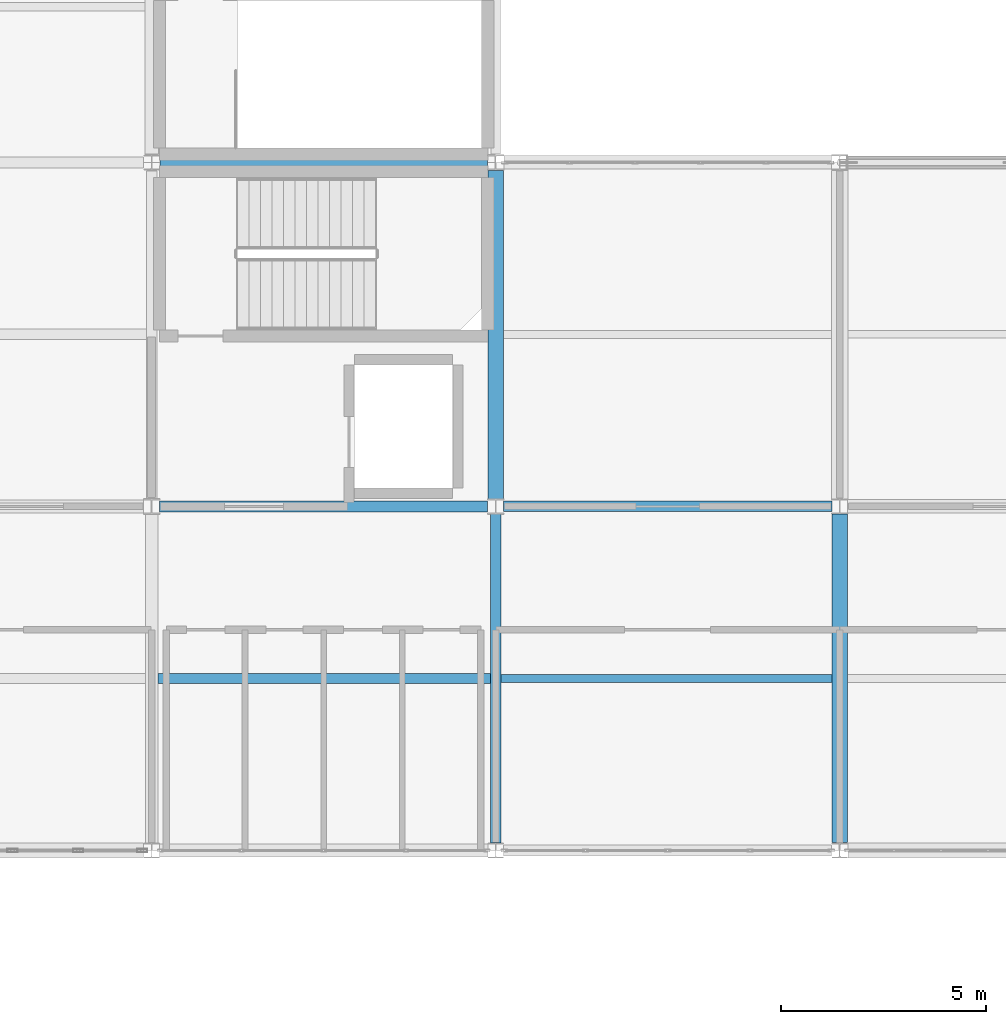
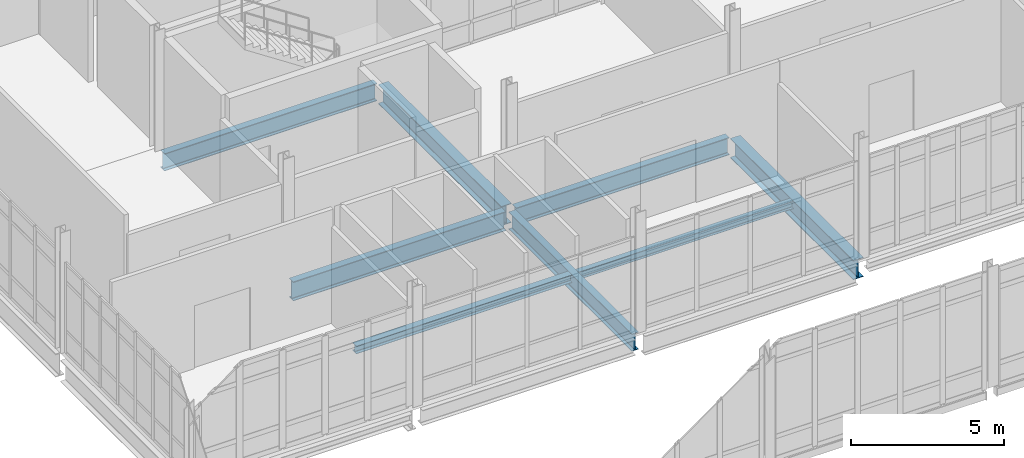
# One storey, part 39 of 186: 8 beams.
"""IFC4 building model written with IfcOpenShell, lengths in metres."""

from ifc_helpers import new_model, si_unit, direction, frame, origin, origin_2d, place, context, subcontext, project, spatial, i_section, extrude, material, material_profile, profile_set, type_object, element, save


model = new_model("IFC4")

# Units and contexts
model_context = context("Model", 3, precision=1e-05, world=origin(), true_north=direction((0.0, 1.0)))
body_context = subcontext(model_context, "Body", "Model", "MODEL_VIEW")
ifc_project = project(units=[si_unit("LENGTHUNIT", "METRE"), si_unit("AREAUNIT", "SQUARE_METRE"), si_unit("VOLUMEUNIT", "CUBIC_METRE"), si_unit("PLANEANGLEUNIT", "RADIAN"), si_unit("MASSUNIT", "GRAM", prefix="KILO")], contexts=[model_context])

# Site, building, storey
site_placement = place(None, origin())
site = spatial("IfcSite", under=ifc_project, at=site_placement, CompositionType="ELEMENT")
building_placement = place(site_placement, origin())
building = spatial("IfcBuilding", under=site, at=building_placement, Name="Calvrana Isthmian Art Gallery", CompositionType="ELEMENT")
storey_placement = place(building_placement, frame((0.0, 0.0, 5.39990234375)))
storey = spatial("IfcBuildingStorey", under=building, at=storey_placement, Name="L01", CompositionType="ELEMENT", Elevation=5.39990234375)

# Beams
ifc_material = material(Name="Steel ASTM A992 Gr 50", Category="steel")
ifc_material_profile_1 = material_profile(ifc_material, i_section(OverallWidth=0.257080078125, OverallDepth=0.693115234375, WebThickness=0.014404296875, FlangeThickness=0.023681640625, FilletRadius=0.02392578125, at=origin_2d()), Name="W27X114")
ifc_profile_set_1 = profile_set([ifc_material_profile_1], Name="Steel ASTM A992 Gr 50")
beam_type_1 = type_object("IfcBeamType", Name="BM-G-W27X114", PredefinedType="BEAM", material=ifc_profile_set_1)
beam_1_placement = place(storey_placement, frame((38.596923828125, 38.39990234375, -0.59130859375), z_axis=(1.0, 0.0, 0.0), x_axis=(0.0, 1.0, 0.0)))
element("IfcBeam", 1, at=beam_1_placement, inside=storey, type_object=beam_type_1, Name="Girder X L01 06-07/F", PredefinedType="BEAM", context=body_context, shape_type="SweptSolid", body=[
    extrude(i_section(OverallWidth=0.257080078125, OverallDepth=0.693115234375, WebThickness=0.014404296875, FlangeThickness=0.023681640625, FilletRadius=0.02392578125, at=origin_2d()), origin(), (0.0, 0.0, 1.0), 8.0166015625),
])
beam_2_placement = place(storey_placement, frame((30.202880859375, 46.800048828125, -0.59130859375), z_axis=(1.0, 0.0, 0.0), x_axis=(0.0, 1.0, 0.0)))
element("IfcBeam", 2, at=beam_2_placement, inside=storey, type_object=beam_type_1, Name="Girder X L01 05-06/G", PredefinedType="BEAM", context=body_context, shape_type="SweptSolid", body=[
    extrude(i_section(OverallWidth=0.257080078125, OverallDepth=0.693115234375, WebThickness=0.014404296875, FlangeThickness=0.023681640625, FilletRadius=0.02392578125, at=origin_2d()), origin(), (0.0, 0.0, 1.0), 7.99658203125),
])
beam_3_placement = place(storey_placement, frame((38.39990234375, 30.1865234375, -0.59130859375), z_axis=(0.0, 1.0, 0.0), x_axis=(-1.0, 0.0, 0.0)))
element("IfcBeam", 3, at=beam_3_placement, inside=storey, type_object=beam_type_1, Name="Girder Y L01 06/E-F", PredefinedType="BEAM", context=body_context, shape_type="SweptSolid", body=[
    extrude(i_section(OverallWidth=0.257080078125, OverallDepth=0.693115234375, WebThickness=0.014404296875, FlangeThickness=0.023681640625, FilletRadius=0.02392578125, at=origin_2d()), origin(), (0.0, 0.0, 1.0), 8.025390625),
])
ifc_material_profile_2 = material_profile(ifc_material, i_section(OverallWidth=0.26708984375, OverallDepth=0.761962890625, WebThickness=0.014404296875, FlangeThickness=0.021484375, FilletRadius=0.02490234375, at=origin_2d()), Name="W30X116")
ifc_profile_set_2 = profile_set([ifc_material_profile_2], Name="Steel ASTM A992 Gr 50")
beam_type_2 = type_object("IfcBeamType", Name="BM-G-W30X116", PredefinedType="BEAM", material=ifc_profile_set_2)
beam_4_placement = place(storey_placement, frame((30.197998046875, 38.39990234375, -0.6259765625), z_axis=(1.0, 0.0, 0.0), x_axis=(0.0, 1.0, 0.0)))
element("IfcBeam", 4, at=beam_4_placement, inside=storey, type_object=beam_type_2, Name="Girder X L01 05-06/F", PredefinedType="BEAM", context=body_context, shape_type="SweptSolid", body=[
    extrude(i_section(OverallWidth=0.26708984375, OverallDepth=0.761962890625, WebThickness=0.014404296875, FlangeThickness=0.021484375, FilletRadius=0.02490234375, at=origin_2d()), origin(), (0.0, 0.0, 1.0), 8.0048828125),
])
ifc_material_profile_3 = material_profile(ifc_material, i_section(OverallWidth=0.381103515625, OverallDepth=0.77197265625, WebThickness=0.0166015625, FlangeThickness=0.027099609375, FilletRadius=0.02490234375, at=origin_2d()), Name="W30X173")
ifc_profile_set_3 = profile_set([ifc_material_profile_3], Name="Steel ASTM A992 Gr 50")
beam_type_3 = type_object("IfcBeamType", Name="BM-G-W30X173", PredefinedType="BEAM", material=ifc_profile_set_3)
beam_5_placement = place(storey_placement, frame((38.39990234375, 38.587890625, -0.630859375), z_axis=(0.0, 1.0, 0.0), x_axis=(-1.0, 0.0, 0.0)))
element("IfcBeam", 5, at=beam_5_placement, inside=storey, type_object=beam_type_3, Name="Girder Y L01 06/F-G", PredefinedType="BEAM", context=body_context, shape_type="SweptSolid", body=[
    extrude(i_section(OverallWidth=0.381103515625, OverallDepth=0.77197265625, WebThickness=0.0166015625, FlangeThickness=0.027099609375, FilletRadius=0.02490234375, at=origin_2d()), origin(), (0.0, 0.0, 1.0), 8.0126953125),
])
beam_6_placement = place(storey_placement, frame((46.800048828125, 30.193115234375, -0.630859375), z_axis=(0.0, 1.0, 0.0), x_axis=(-1.0, 0.0, 0.0)))
element("IfcBeam", 6, at=beam_6_placement, inside=storey, type_object=beam_type_3, Name="Girder Y L01 07/E-F", PredefinedType="BEAM", context=body_context, shape_type="SweptSolid", body=[
    extrude(i_section(OverallWidth=0.381103515625, OverallDepth=0.77197265625, WebThickness=0.0166015625, FlangeThickness=0.027099609375, FilletRadius=0.02490234375, at=origin_2d()), origin(), (0.0, 0.0, 1.0), 8.020263671875),
])
ifc_material_profile_4 = material_profile(ifc_material, i_section(OverallWidth=0.202880859375, OverallDepth=0.302001953125, WebThickness=0.007568359375, FlangeThickness=0.01318359375, FilletRadius=0.01611328125, at=origin_2d()), Name="W12X40")
ifc_profile_set_4 = profile_set([ifc_material_profile_4], Name="Steel ASTM A992 Gr 50")
beam_type_4 = type_object("IfcBeamType", Name="BM-J-W12X40", PredefinedType="JOIST", material=ifc_profile_set_4)
beam_7_placement = place(storey_placement, frame((38.528564453125, 34.199951171875, -0.39599609375), z_axis=(1.0, 0.0, 0.0), x_axis=(0.0, 1.0, 0.0)))
element("IfcBeam", 7, at=beam_7_placement, inside=storey, type_object=beam_type_4, Name="Composite joist L01 bay 05-04", PredefinedType="JOIST", context=body_context, shape_type="SweptSolid", body=[
    extrude(i_section(OverallWidth=0.202880859375, OverallDepth=0.302001953125, WebThickness=0.007568359375, FlangeThickness=0.01318359375, FilletRadius=0.01611328125, at=origin_2d()), origin(), (0.0, 0.0, 1.0), 8.0810546875),
])
ifc_material_profile_5 = material_profile(ifc_material, i_section(OverallWidth=0.25390625, OverallDepth=0.306884765625, WebThickness=0.0087890625, FlangeThickness=0.0146484375, FilletRadius=0.01611328125, at=origin_2d()), Name="W12X53")
ifc_profile_set_5 = profile_set([ifc_material_profile_5], Name="Steel ASTM A992 Gr 50")
beam_type_5 = type_object("IfcBeamType", Name="BM-J-W12X53", PredefinedType="JOIST", material=ifc_profile_set_5)
beam_8_placement = place(storey_placement, frame((30.153564453125, 34.199951171875, -0.3984375), z_axis=(1.0, 0.0, 0.0), x_axis=(0.0, 1.0, 0.0)))
element("IfcBeam", 8, at=beam_8_placement, inside=storey, type_object=beam_type_5, Name="Composite joist L01 bay 04-04", PredefinedType="JOIST", context=body_context, shape_type="SweptSolid", body=[
    extrude(i_section(OverallWidth=0.25390625, OverallDepth=0.306884765625, WebThickness=0.0087890625, FlangeThickness=0.0146484375, FilletRadius=0.01611328125, at=origin_2d()), origin(), (0.0, 0.0, 1.0), 8.117919921875),
])

save(model, "model.ifc")
